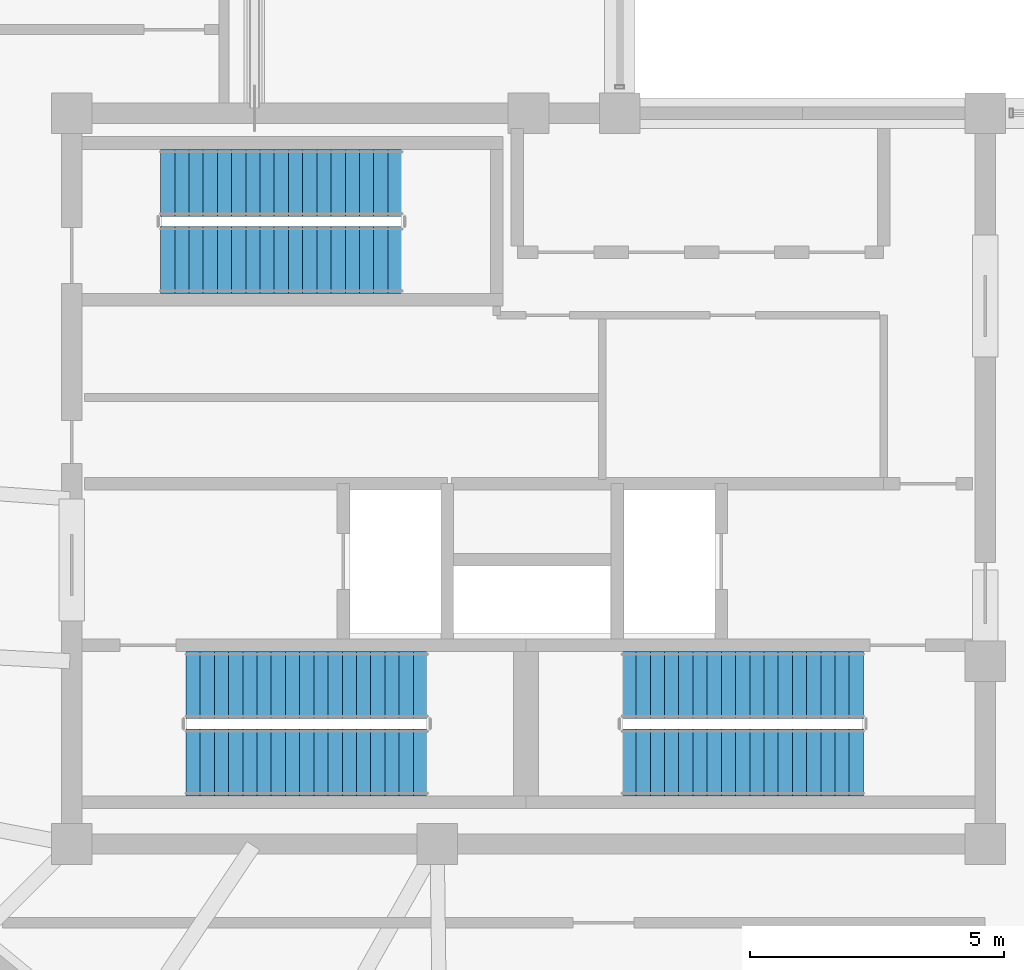
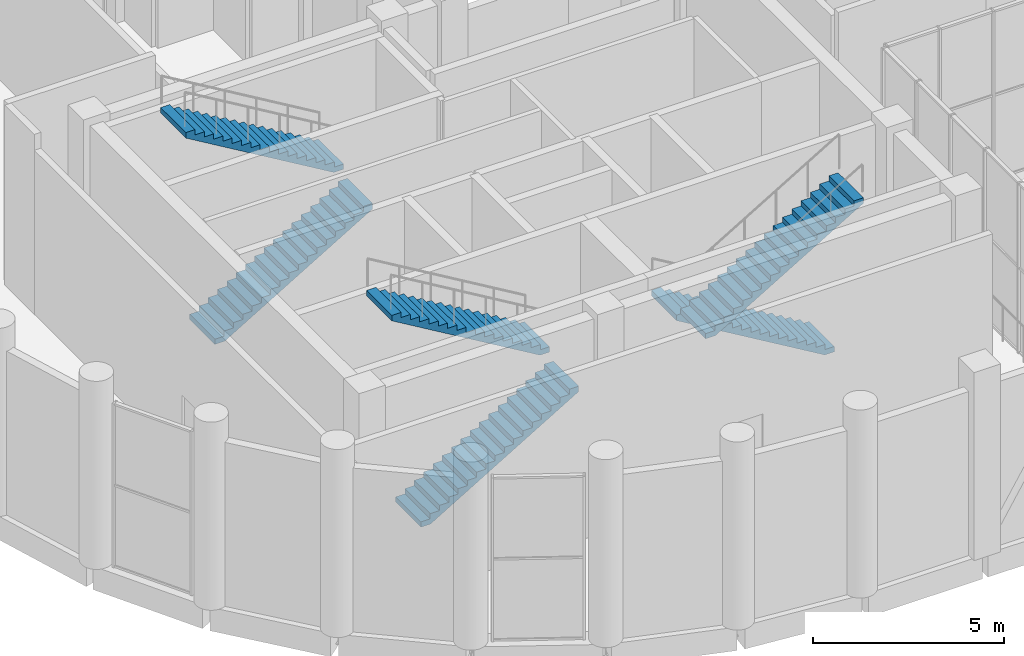
# One storey, part 16 of 17: 6 stair flights, 3 elements without a shape of their own.
"""IFC4 building model written with IfcOpenShell, lengths in metres."""

from ifc_helpers import new_model, si_unit, direction, frame, origin, place, context, subcontext, project, spatial, polyline, outline, extrude, material, type_object, element, aggregate, save


model = new_model("IFC4")

# Units and contexts
model_context = context("Model", 3, precision=1e-05, world=origin(), true_north=direction((0.0, 1.0)))
body_context = subcontext(model_context, "Body", "Model", "MODEL_VIEW")
ifc_project = project(units=[si_unit("LENGTHUNIT", "METRE"), si_unit("AREAUNIT", "SQUARE_METRE"), si_unit("VOLUMEUNIT", "CUBIC_METRE"), si_unit("PLANEANGLEUNIT", "RADIAN"), si_unit("MASSUNIT", "GRAM", prefix="KILO")], contexts=[model_context])

# Site, building, storey
site_placement = place(None, origin())
site = spatial("IfcSite", under=ifc_project, at=site_placement, CompositionType="ELEMENT")
building_placement = place(site_placement, origin())
building = spatial("IfcBuilding", under=site, at=building_placement, Name="Solnavia Interchange Tower", CompositionType="ELEMENT")
storey_placement = place(building_placement, frame((0.0, 0.0, 249.800048828125)))
storey = spatial("IfcBuildingStorey", under=building, at=storey_placement, Name="L63", CompositionType="ELEMENT", Elevation=249.800048828125)

# Stair, stair flights
ifc_material = material(Name="Concrete C40/50", Category="concrete")
stair_type = type_object("IfcStairType", Name="Stair-Dogleg-RC", PredefinedType="HALF_TURN_STAIR", material=ifc_material)
stair_1_placement = place(storey_placement, origin())
stair_1 = element("IfcStair", 1, at=stair_1_placement, inside=storey, type_object=stair_type, Name="L63 Core exit stair 1", PredefinedType="HALF_TURN_STAIR")
stair_flight_type = type_object("IfcStairFlightType", Name="StairFlight-RC-150", PredefinedType="STRAIGHT", material=ifc_material)
stair_flight_1_placement = place(storey_placement, frame((16.64990234375, 12.409912109375, 0.0), z_axis=(0.0, 0.0, 1.0), x_axis=(1.0, 0.0, 0.0)))
stair_flight_1 = element("IfcStairFlight", 2, at=stair_flight_1_placement, type_object=stair_flight_type, Name="ST-1 flight 1", NumberOfRisers=18, NumberOfTreads=17, PredefinedType="STRAIGHT", RiserHeight=0.166666667, TreadLength=0.28, context=body_context, shape_type="SweptSolid", body=[
    extrude(outline(polyline([(0.0, 0.0), (0.0, 0.166748046875), (0.280029296875, 0.166748046875), (0.280029296875, 0.333251953125), (0.56005859375, 0.333251953125), (0.56005859375, 0.5), (0.840087890625, 0.5), (0.840087890625, 0.666748046875), (1.1201171875, 0.666748046875), (1.1201171875, 0.833251953125), (1.39990234375, 0.833251953125), (1.39990234375, 1.0), (1.679931640625, 1.0), (1.679931640625, 1.166748046875), (1.9599609375, 1.166748046875), (1.9599609375, 1.333251953125), (2.239990234375, 1.333251953125), (2.239990234375, 1.5), (2.52001953125, 1.5), (2.52001953125, 1.666748046875), (2.800048828125, 1.666748046875), (2.800048828125, 1.833251953125), (3.080078125, 1.833251953125), (3.080078125, 2.0), (3.360107421875, 2.0), (3.360107421875, 2.166748046875), (3.639892578125, 2.166748046875), (3.639892578125, 2.333251953125), (3.919921875, 2.333251953125), (3.919921875, 2.5), (4.199951171875, 2.5), (4.199951171875, 2.666748046875), (4.47998046875, 2.666748046875), (4.47998046875, 2.833251953125), (4.760009765625, 2.833251953125), (4.760009765625, 3.0), (4.760009765625, 2.658935546875), (0.29296875, 0.0), (0.0, 0.0)])), frame((0.0, 0.66015625, 0.0), z_axis=(0.0, -1.0, 0.0), x_axis=(1.0, 0.0, 0.0)), (0.0, 0.0, 1.0), 1.320068359375),
])
stair_flight_2_placement = place(storey_placement, frame((21.409912109375, 13.929931640625, 3.0), z_axis=(0.0, 0.0, 1.0), x_axis=(-1.0, 0.0, 0.0)))
stair_flight_2 = element("IfcStairFlight", 3, at=stair_flight_2_placement, type_object=stair_flight_type, Name="ST-1 flight 2", NumberOfRisers=18, NumberOfTreads=17, PredefinedType="STRAIGHT", RiserHeight=0.166666667, TreadLength=0.28, context=body_context, shape_type="SweptSolid", body=[
    extrude(outline(polyline([(0.0, 0.0), (0.0, 0.166748046875), (0.280029296875, 0.166748046875), (0.280029296875, 0.333251953125), (0.56005859375, 0.333251953125), (0.56005859375, 0.5), (0.840087890625, 0.5), (0.840087890625, 0.666748046875), (1.1201171875, 0.666748046875), (1.1201171875, 0.833251953125), (1.39990234375, 0.833251953125), (1.39990234375, 1.0), (1.679931640625, 1.0), (1.679931640625, 1.166748046875), (1.9599609375, 1.166748046875), (1.9599609375, 1.333251953125), (2.239990234375, 1.333251953125), (2.239990234375, 1.5), (2.52001953125, 1.5), (2.52001953125, 1.666748046875), (2.800048828125, 1.666748046875), (2.800048828125, 1.833251953125), (3.080078125, 1.833251953125), (3.080078125, 2.0), (3.360107421875, 2.0), (3.360107421875, 2.166748046875), (3.639892578125, 2.166748046875), (3.639892578125, 2.333251953125), (3.919921875, 2.333251953125), (3.919921875, 2.5), (4.199951171875, 2.5), (4.199951171875, 2.666748046875), (4.47998046875, 2.666748046875), (4.47998046875, 2.833251953125), (4.760009765625, 2.833251953125), (4.760009765625, 3.0), (4.760009765625, 2.658935546875), (0.29296875, 0.0), (0.0, 0.0)])), frame((0.0, 0.66015625, 0.0), z_axis=(0.0, -1.0, 0.0), x_axis=(1.0, 0.0, 0.0)), (0.0, 0.0, 1.0), 1.320068359375),
])
aggregate(stair_1, [stair_flight_1, stair_flight_2])

stair_2_placement = place(storey_placement, origin())
stair_2 = element("IfcStair", 4, at=stair_2_placement, inside=storey, type_object=stair_type, Name="L63 Core exit stair 2", PredefinedType="HALF_TURN_STAIR")
stair_flight_3_placement = place(storey_placement, frame((30.0, 13.929931640625, 0.0), z_axis=(0.0, 0.0, 1.0), x_axis=(-1.0, 0.0, 0.0)))
stair_flight_3 = element("IfcStairFlight", 5, at=stair_flight_3_placement, type_object=stair_flight_type, Name="ST-2 flight 1", NumberOfRisers=18, NumberOfTreads=17, PredefinedType="STRAIGHT", RiserHeight=0.166666667, TreadLength=0.28, context=body_context, shape_type="SweptSolid", body=[
    extrude(outline(polyline([(0.0, 0.0), (0.0, 0.166748046875), (0.280029296875, 0.166748046875), (0.280029296875, 0.333251953125), (0.56005859375, 0.333251953125), (0.56005859375, 0.5), (0.840087890625, 0.5), (0.840087890625, 0.666748046875), (1.1201171875, 0.666748046875), (1.1201171875, 0.833251953125), (1.39990234375, 0.833251953125), (1.39990234375, 1.0), (1.679931640625, 1.0), (1.679931640625, 1.166748046875), (1.9599609375, 1.166748046875), (1.9599609375, 1.333251953125), (2.239990234375, 1.333251953125), (2.239990234375, 1.5), (2.52001953125, 1.5), (2.52001953125, 1.666748046875), (2.800048828125, 1.666748046875), (2.800048828125, 1.833251953125), (3.080078125, 1.833251953125), (3.080078125, 2.0), (3.360107421875, 2.0), (3.360107421875, 2.166748046875), (3.639892578125, 2.166748046875), (3.639892578125, 2.333251953125), (3.919921875, 2.333251953125), (3.919921875, 2.5), (4.199951171875, 2.5), (4.199951171875, 2.666748046875), (4.47998046875, 2.666748046875), (4.47998046875, 2.833251953125), (4.760009765625, 2.833251953125), (4.760009765625, 3.0), (4.760009765625, 2.658935546875), (0.29296875, 0.0), (0.0, 0.0)])), frame((0.0, 0.66015625, 0.0), z_axis=(0.0, -1.0, 0.0), x_axis=(1.0, 0.0, 0.0)), (0.0, 0.0, 1.0), 1.320068359375),
])
stair_flight_4_placement = place(storey_placement, frame((25.239990234375, 12.409912109375, 3.0), z_axis=(0.0, 0.0, 1.0), x_axis=(1.0, 0.0, 0.0)))
stair_flight_4 = element("IfcStairFlight", 6, at=stair_flight_4_placement, type_object=stair_flight_type, Name="ST-2 flight 2", NumberOfRisers=18, NumberOfTreads=17, PredefinedType="STRAIGHT", RiserHeight=0.166666667, TreadLength=0.28, context=body_context, shape_type="SweptSolid", body=[
    extrude(outline(polyline([(0.0, 0.0), (0.0, 0.166748046875), (0.280029296875, 0.166748046875), (0.280029296875, 0.333251953125), (0.56005859375, 0.333251953125), (0.56005859375, 0.5), (0.840087890625, 0.5), (0.840087890625, 0.666748046875), (1.1201171875, 0.666748046875), (1.1201171875, 0.833251953125), (1.39990234375, 0.833251953125), (1.39990234375, 1.0), (1.679931640625, 1.0), (1.679931640625, 1.166748046875), (1.9599609375, 1.166748046875), (1.9599609375, 1.333251953125), (2.239990234375, 1.333251953125), (2.239990234375, 1.5), (2.52001953125, 1.5), (2.52001953125, 1.666748046875), (2.800048828125, 1.666748046875), (2.800048828125, 1.833251953125), (3.080078125, 1.833251953125), (3.080078125, 2.0), (3.360107421875, 2.0), (3.360107421875, 2.166748046875), (3.639892578125, 2.166748046875), (3.639892578125, 2.333251953125), (3.919921875, 2.333251953125), (3.919921875, 2.5), (4.199951171875, 2.5), (4.199951171875, 2.666748046875), (4.47998046875, 2.666748046875), (4.47998046875, 2.833251953125), (4.760009765625, 2.833251953125), (4.760009765625, 3.0), (4.760009765625, 2.658935546875), (0.29296875, 0.0), (0.0, 0.0)])), frame((0.0, 0.66015625, 0.0), z_axis=(0.0, -1.0, 0.0), x_axis=(1.0, 0.0, 0.0)), (0.0, 0.0, 1.0), 1.320068359375),
])
aggregate(stair_2, [stair_flight_3, stair_flight_4])

stair_3_placement = place(storey_placement, origin())
stair_3 = element("IfcStair", 7, at=stair_3_placement, inside=storey, type_object=stair_type, Name="L63 Core exit stair 3", PredefinedType="HALF_TURN_STAIR")
stair_flight_5_placement = place(storey_placement, frame((16.14990234375, 22.31005859375, 0.0), z_axis=(0.0, 0.0, 1.0), x_axis=(1.0, 0.0, 0.0)))
stair_flight_5 = element("IfcStairFlight", 8, at=stair_flight_5_placement, type_object=stair_flight_type, Name="ST-3 flight 1", NumberOfRisers=18, NumberOfTreads=17, PredefinedType="STRAIGHT", RiserHeight=0.166666667, TreadLength=0.28, context=body_context, shape_type="SweptSolid", body=[
    extrude(outline(polyline([(0.0, 0.0), (0.0, 0.166748046875), (0.280029296875, 0.166748046875), (0.280029296875, 0.333251953125), (0.56005859375, 0.333251953125), (0.56005859375, 0.5), (0.840087890625, 0.5), (0.840087890625, 0.666748046875), (1.1201171875, 0.666748046875), (1.1201171875, 0.833251953125), (1.39990234375, 0.833251953125), (1.39990234375, 1.0), (1.679931640625, 1.0), (1.679931640625, 1.166748046875), (1.9599609375, 1.166748046875), (1.9599609375, 1.333251953125), (2.239990234375, 1.333251953125), (2.239990234375, 1.5), (2.52001953125, 1.5), (2.52001953125, 1.666748046875), (2.800048828125, 1.666748046875), (2.800048828125, 1.833251953125), (3.080078125, 1.833251953125), (3.080078125, 2.0), (3.360107421875, 2.0), (3.360107421875, 2.166748046875), (3.639892578125, 2.166748046875), (3.639892578125, 2.333251953125), (3.919921875, 2.333251953125), (3.919921875, 2.5), (4.199951171875, 2.5), (4.199951171875, 2.666748046875), (4.47998046875, 2.666748046875), (4.47998046875, 2.833251953125), (4.760009765625, 2.833251953125), (4.760009765625, 3.0), (4.760009765625, 2.658935546875), (0.29296875, 0.0), (0.0, 0.0)])), frame((0.0, 0.66015625, 0.0), z_axis=(0.0, -1.0, 0.0), x_axis=(1.0, 0.0, 0.0)), (0.0, 0.0, 1.0), 1.320068359375),
])
stair_flight_6_placement = place(storey_placement, frame((20.909912109375, 23.830078125, 3.0), z_axis=(0.0, 0.0, 1.0), x_axis=(-1.0, 0.0, 0.0)))
stair_flight_6 = element("IfcStairFlight", 9, at=stair_flight_6_placement, type_object=stair_flight_type, Name="ST-3 flight 2", NumberOfRisers=18, NumberOfTreads=17, PredefinedType="STRAIGHT", RiserHeight=0.166666667, TreadLength=0.28, context=body_context, shape_type="SweptSolid", body=[
    extrude(outline(polyline([(0.0, 0.0), (0.0, 0.166748046875), (0.280029296875, 0.166748046875), (0.280029296875, 0.333251953125), (0.56005859375, 0.333251953125), (0.56005859375, 0.5), (0.840087890625, 0.5), (0.840087890625, 0.666748046875), (1.1201171875, 0.666748046875), (1.1201171875, 0.833251953125), (1.39990234375, 0.833251953125), (1.39990234375, 1.0), (1.679931640625, 1.0), (1.679931640625, 1.166748046875), (1.9599609375, 1.166748046875), (1.9599609375, 1.333251953125), (2.239990234375, 1.333251953125), (2.239990234375, 1.5), (2.52001953125, 1.5), (2.52001953125, 1.666748046875), (2.800048828125, 1.666748046875), (2.800048828125, 1.833251953125), (3.080078125, 1.833251953125), (3.080078125, 2.0), (3.360107421875, 2.0), (3.360107421875, 2.166748046875), (3.639892578125, 2.166748046875), (3.639892578125, 2.333251953125), (3.919921875, 2.333251953125), (3.919921875, 2.5), (4.199951171875, 2.5), (4.199951171875, 2.666748046875), (4.47998046875, 2.666748046875), (4.47998046875, 2.833251953125), (4.760009765625, 2.833251953125), (4.760009765625, 3.0), (4.760009765625, 2.658935546875), (0.29296875, 0.0), (0.0, 0.0)])), frame((0.0, 0.66015625, 0.0), z_axis=(0.0, -1.0, 0.0), x_axis=(1.0, 0.0, 0.0)), (0.0, 0.0, 1.0), 1.320068359375),
])
aggregate(stair_3, [stair_flight_5, stair_flight_6])

save(model, "model.ifc")
